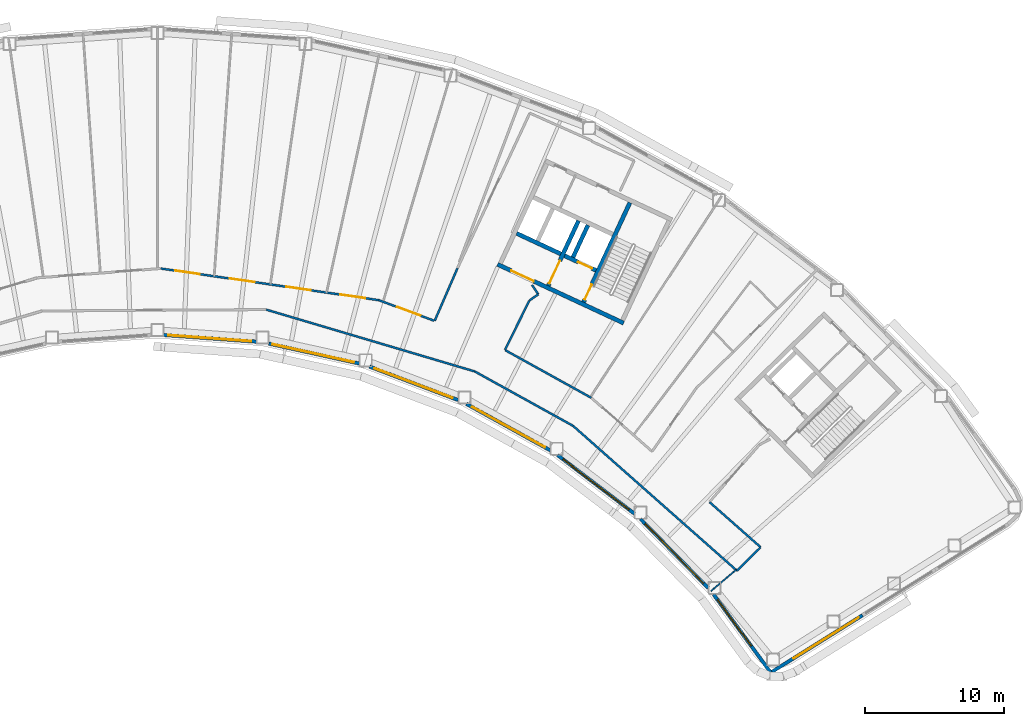
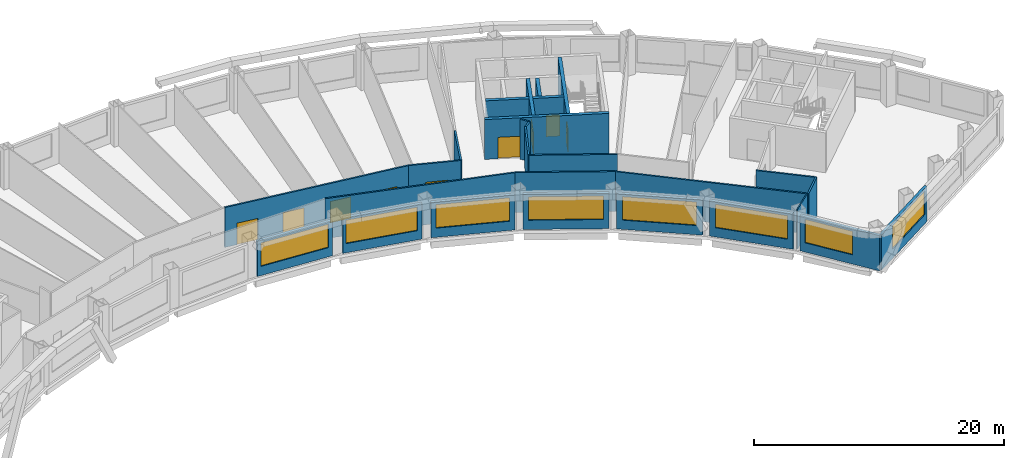
# One storey, part 8 of 16: 27 walls, 9 doors, 8 windows, 17 openings.
"""IFC4 building model written with IfcOpenShell, lengths in metres."""

from ifc_helpers import new_model, si_unit, direction, frame, frame_2d, origin, place, context, subcontext, project, spatial, rectangle, extrude, material, layer, layer_set, type_object, element, fill, save


model = new_model("IFC4")

# Units and contexts
model_context = context("Model", 3, precision=1e-05, world=origin(), true_north=direction((0.0, 1.0)))
body_context = subcontext(model_context, "Body", "Model", "MODEL_VIEW")
ifc_project = project(units=[si_unit("LENGTHUNIT", "METRE"), si_unit("AREAUNIT", "SQUARE_METRE"), si_unit("VOLUMEUNIT", "CUBIC_METRE"), si_unit("PLANEANGLEUNIT", "RADIAN"), si_unit("MASSUNIT", "GRAM", prefix="KILO")], contexts=[model_context])

# Site, building, storey
site_placement = place(None, origin())
site = spatial("IfcSite", under=ifc_project, at=site_placement, CompositionType="ELEMENT")
building_placement = place(site_placement, origin())
building = spatial("IfcBuilding", under=site, at=building_placement, Name="Tuul Gate Civic Tower", CompositionType="ELEMENT")
storey_placement = place(building_placement, frame((0.0, 0.0, 184.699951171875)))
storey = spatial("IfcBuildingStorey", under=building, at=storey_placement, Name="Level 42", CompositionType="ELEMENT", Elevation=184.699951171875)

# Wall, opening, door
ifc_material_1 = material(Name="Concrete C50/60", Category="concrete")
ifc_layer_1 = layer(ifc_material_1, 0.300048828125)
ifc_layer_set_1 = layer_set([ifc_layer_1], Name="Concrete C50/60")
wall_type_1 = type_object("IfcWallType", Name="Core wall C50/60", PredefinedType="SHEAR", material=ifc_layer_set_1)
wall_1_placement = place(storey_placement, frame((34.5283203125, -7.25, 0.0), z_axis=(0.0, 0.0, 1.0), x_axis=(-0.906310338845, 0.422612789327, 0.0)))
wall_1 = element("IfcWall", 1, at=wall_1_placement, inside=storey, type_object=wall_type_1, Name="Core wall", PredefinedType="SHEAR", context=body_context, shape_type="SweptSolid", body=[
    extrude(rectangle(XDim=9.999755859375, YDim=0.300048828125, at=frame_2d((5.0, 0.0))), origin(), (0.0, 0.0, 1.0), 3.900146484375),
])
opening_1_placement = place(wall_1_placement, frame((7.125, 0.0, 0.0)))
opening_1 = element("IfcOpeningElement", 2, at=opening_1_placement, cuts=wall_1, Name="Opening LB-E3-LOBBY-1", PredefinedType="OPENING", context=body_context, shape_type="SweptSolid", body=[
    extrude(rectangle(XDim=1.800048828125, YDim=2.10009765625, at=frame_2d((0.89990234375, 1.050048828125))), frame((0.0, 0.16015625, 0.0), z_axis=(0.0, -1.0, 0.0), x_axis=(1.0, 0.0, 0.0)), (0.0, 0.0, 1.0), 0.320068359375),
])
ifc_material_2 = material(Name="Steel", Category="steel")
door_type_1 = type_object("IfcDoorType", Name="Lobby door", OperationType="DOUBLE_DOOR_SINGLE_SWING", PredefinedType="DOOR", material=ifc_material_2)
door_1_placement = place(opening_1_placement, frame((1.800048828125, 0.0, 0.0), z_axis=(0.0, 0.0, 1.0), x_axis=(-1.0, 0.0, 0.0)))
door_1 = element("IfcDoor", 3, at=door_1_placement, inside=storey, type_object=door_type_1, Name="Lobby door E3-LOBBY", OperationType="DOUBLE_DOOR_SINGLE_SWING", OverallHeight=2.10009765625, OverallWidth=1.800048828125, PredefinedType="DOOR", context=body_context, shape_type="SweptSolid", body=[
    extrude(rectangle(XDim=1.800048828125, YDim=2.10009765625, at=frame_2d((0.900146484375, 1.050048828125))), frame((0.0, 0.02490234375, 0.0), z_axis=(0.0, -1.0, 0.0), x_axis=(1.0, 0.0, 0.0)), (0.0, 0.0, 1.0), 0.050048828125),
])
fill(opening_1, door_1)

wall_2_placement = place(storey_placement, frame((32.545654296875, -3.456787109375, 0.0), z_axis=(0.0, 0.0, 1.0), x_axis=(-0.906300357825, 0.42263419337, 0.0)))
wall_2 = element("IfcWall", 4, at=wall_2_placement, inside=storey, type_object=wall_type_1, Name="Core wall", PredefinedType="SHEAR", context=body_context, shape_type="SweptSolid", body=[
    extrude(rectangle(XDim=2.500244140625, YDim=0.300048828125, at=frame_2d((1.25, 0.0))), origin(), (0.0, 0.0, 1.0), 3.900146484375),
])
opening_2_placement = place(wall_2_placement, frame((0.324951171875, 0.0, 0.0)))
opening_2 = element("IfcOpeningElement", 5, at=opening_2_placement, cuts=wall_2, Name="Opening LD-FF-2", PredefinedType="OPENING", context=body_context, shape_type="SweptSolid", body=[
    extrude(rectangle(XDim=1.10009765625, YDim=2.10009765625, at=frame_2d((0.550048828125, 1.050048828125))), frame((0.0, 0.16015625, 0.0), z_axis=(0.0, -1.0, 0.0), x_axis=(1.0, 0.0, 0.0)), (0.0, 0.0, 1.0), 0.320068359375),
])
ifc_material_3 = material(Name="Stainless steel", Category="steel")
door_type_2 = type_object("IfcDoorType", Name="Landing door", OperationType="DOUBLE_DOOR_SLIDING", PredefinedType="DOOR", material=ifc_material_3)
door_2_placement = place(opening_2_placement, origin())
door_2 = element("IfcDoor", 6, at=door_2_placement, inside=storey, type_object=door_type_2, Name="Fire-fighting lift FF-2 landing door", OperationType="DOUBLE_DOOR_SLIDING", OverallHeight=2.10009765625, OverallWidth=1.10009765625, PredefinedType="DOOR", context=body_context, shape_type="SweptSolid", body=[
    extrude(rectangle(XDim=1.10009765625, YDim=2.10009765625, at=frame_2d((0.550048828125, 1.050048828125))), frame((0.0, 0.02490234375, 0.0), z_axis=(0.0, -1.0, 0.0), x_axis=(1.0, 0.0, 0.0)), (0.0, 0.0, 1.0), 0.050048828125),
])
fill(opening_2, door_2)

# Wall
wall_3_placement = place(storey_placement, frame((30.0078125, -2.2734375, 0.0), z_axis=(0.0, 0.0, 1.0), x_axis=(-0.90630071767, 0.422633421716, 0.0)))
element("IfcWall", 7, at=wall_3_placement, inside=storey, type_object=wall_type_1, Name="Core wall", PredefinedType="SHEAR", context=body_context, shape_type="SweptSolid", body=[
    extrude(rectangle(XDim=3.5, YDim=0.300048828125, at=frame_2d((1.75, 0.0))), origin(), (0.0, 0.0, 1.0), 3.900146484375),
])

# Wall, opening, door
wall_4_placement = place(storey_placement, frame((31.646240234375, -5.740478515625, 0.0), z_axis=(0.0, 0.0, 1.0), x_axis=(0.422582604137, 0.906324413596, 0.0)))
wall_4 = element("IfcWall", 8, at=wall_4_placement, inside=storey, type_object=wall_type_1, Name="Core wall", PredefinedType="SHEAR", context=body_context, shape_type="SweptSolid", body=[
    extrude(rectangle(XDim=7.89990234375, YDim=0.300048828125, at=frame_2d((3.949951171875, 0.0))), origin(), (0.0, 0.0, 1.0), 3.900146484375),
])
opening_3_placement = place(wall_4_placement, frame((0.199951171875, 0.0, 0.0)))
opening_3 = element("IfcOpeningElement", 9, at=opening_3_placement, cuts=wall_4, Name="Opening SD-ST-4", PredefinedType="OPENING", context=body_context, shape_type="SweptSolid", body=[
    extrude(rectangle(XDim=1.199951171875, YDim=2.10009765625, at=frame_2d((0.60009765625, 1.050048828125))), frame((0.0, 0.16015625, 0.0), z_axis=(0.0, -1.0, 0.0), x_axis=(1.0, 0.0, 0.0)), (0.0, 0.0, 1.0), 0.320068359375),
])
ifc_material_4 = material(Name="Steel", Category="steel")
door_type_3 = type_object("IfcDoorType", Name="Stair door", OperationType="NOTDEFINED", PredefinedType="DOOR", material=ifc_material_4)
door_3_placement = place(opening_3_placement, origin())
door_3 = element("IfcDoor", 10, at=door_3_placement, inside=storey, type_object=door_type_3, Name="Stair door ST-4", OperationType="SINGLE_SWING_LEFT", OverallHeight=2.10009765625, OverallWidth=1.199951171875, PredefinedType="DOOR", context=body_context, shape_type="SweptSolid", body=[
    extrude(rectangle(XDim=1.199951171875, YDim=2.10009765625, at=frame_2d((0.60009765625, 1.050048828125))), frame((0.0, 0.02490234375, 0.0), z_axis=(0.0, -1.0, 0.0), x_axis=(1.0, 0.0, 0.0)), (0.0, 0.0, 1.0), 0.050048828125),
])
fill(opening_3, door_3)

# Wall
wall_5_placement = place(storey_placement, frame((30.886962890625, -2.517822265625, 0.0), z_axis=(0.0, 0.0, 1.0), x_axis=(0.422612891016, 0.906310291427, 0.0)))
element("IfcWall", 11, at=wall_5_placement, inside=storey, type_object=wall_type_1, Name="Core wall", PredefinedType="SHEAR", context=body_context, shape_type="SweptSolid", body=[
    extrude(rectangle(XDim=2.550048828125, YDim=0.300048828125, at=frame_2d((1.27490234375, 0.0))), origin(), (0.0, 0.0, 1.0), 3.900146484375),
])

# Wall, opening, door
wall_6_placement = place(storey_placement, frame((29.108642578125, -4.557373046875, 0.0), z_axis=(0.0, 0.0, 1.0), x_axis=(0.422566235356, 0.90633204552, 0.0)))
wall_6 = element("IfcWall", 12, at=wall_6_placement, inside=storey, type_object=wall_type_1, Name="Core wall", PredefinedType="SHEAR", context=body_context, shape_type="SweptSolid", body=[
    extrude(rectangle(XDim=5.150146484375, YDim=0.300048828125, at=frame_2d((2.5751953125, 0.0))), origin(), (0.0, 0.0, 1.0), 3.900146484375),
])
opening_4_placement = place(wall_6_placement, frame((0.175048828125, 0.0, 0.0)))
opening_4 = element("IfcOpeningElement", 13, at=opening_4_placement, cuts=wall_6, Name="Opening LB-E3-FLOBBY-1", PredefinedType="OPENING", context=body_context, shape_type="SweptSolid", body=[
    extrude(rectangle(XDim=1.800048828125, YDim=2.10009765625, at=frame_2d((0.89990234375, 1.050048828125))), frame((0.0, 0.16015625, 0.0), z_axis=(0.0, -1.0, 0.0), x_axis=(1.0, 0.0, 0.0)), (0.0, 0.0, 1.0), 0.320068359375),
])
door_4_placement = place(opening_4_placement, frame((1.800048828125, 0.0, 0.0), z_axis=(0.0, 0.0, 1.0), x_axis=(-1.0, 0.0, 0.0)))
door_4 = element("IfcDoor", 14, at=door_4_placement, inside=storey, type_object=door_type_1, Name="Lobby door E3-FLOBBY", OperationType="DOUBLE_DOOR_SINGLE_SWING", OverallHeight=2.10009765625, OverallWidth=1.800048828125, PredefinedType="DOOR", context=body_context, shape_type="SweptSolid", body=[
    extrude(rectangle(XDim=1.800048828125, YDim=2.10009765625, at=frame_2d((0.900146484375, 1.050048828125))), frame((0.0, 0.02490234375, 0.0), z_axis=(0.0, -1.0, 0.0), x_axis=(1.0, 0.0, 0.0)), (0.0, 0.0, 1.0), 0.050048828125),
])
fill(opening_4, door_4)

# Walls
ifc_material_5 = material(Name="Gypsum board partition")
ifc_layer_2 = layer(ifc_material_5, 0.14990234375)
ifc_layer_set_2 = layer_set([ifc_layer_2], Name="Gypsum board partition")
wall_type_2 = type_object("IfcWallType", Name="Corridor wall P150", PredefinedType="PARTITIONING", material=ifc_layer_set_2)
wall_7_placement = place(storey_placement, frame((42.68359375, -25.06103515625, 0.0), z_axis=(0.0, 0.0, 1.0), x_axis=(0.711669598432, 0.702514329155, 0.0)))
element("IfcWall", 15, at=wall_7_placement, inside=storey, type_object=wall_type_2, Name="p002", PredefinedType="PARTITIONING", context=body_context, shape_type="SweptSolid", body=[
    extrude(rectangle(XDim=2.39990234375, YDim=0.14990234375, at=frame_2d((1.199951171875, 0.0))), origin(), (0.0, 0.0, 1.0), 3.900146484375),
])
wall_8_placement = place(storey_placement, frame((40.717041015625, -20.132568359375, 0.0), z_axis=(0.0, 0.0, 1.0), x_axis=(0.749820408887, -0.661641409237, 0.0)))
element("IfcWall", 16, at=wall_8_placement, inside=storey, type_object=wall_type_2, Name="p004", PredefinedType="PARTITIONING", context=body_context, shape_type="SweptSolid", body=[
    extrude(rectangle(XDim=4.900634765625, YDim=0.14990234375, at=frame_2d((2.4501953125, 0.0))), origin(), (0.0, 0.0, 1.0), 3.900146484375),
])
wall_9_placement = place(storey_placement, frame((30.89306640625, -14.639404296875, 0.0), z_axis=(0.0, 0.0, 1.0), x_axis=(0.749263018591, -0.662272548859, 0.0)))
element("IfcWall", 17, at=wall_9_placement, inside=storey, type_object=wall_type_2, Name="p008", PredefinedType="PARTITIONING", context=body_context, shape_type="SweptSolid", body=[
    extrude(rectangle(XDim=15.736083984375, YDim=0.14990234375, at=frame_2d((7.8681640625, 0.0))), origin(), (0.0, 0.0, 1.0), 3.900146484375),
])
wall_10_placement = place(storey_placement, frame((26.01025390625, -9.193603515625, 0.0), z_axis=(0.0, 0.0, 1.0), x_axis=(0.874952938099, -0.484207967832, 0.0)))
element("IfcWall", 18, at=wall_10_placement, inside=storey, type_object=wall_type_2, Name="p014", PredefinedType="PARTITIONING", context=body_context, shape_type="SweptSolid", body=[
    extrude(rectangle(XDim=7.08154296875, YDim=0.14990234375, at=frame_2d((3.540771484375, 0.0))), origin(), (0.0, 0.0, 1.0), 3.900146484375),
])
wall_11_placement = place(storey_placement, frame((26.001953125, -9.167236328125, 0.0), z_axis=(0.0, 0.0, 1.0), x_axis=(0.441987219409, 0.897021347505, 0.0)))
element("IfcWall", 19, at=wall_11_placement, inside=storey, type_object=wall_type_2, Name="p017", PredefinedType="PARTITIONING", context=body_context, shape_type="SweptSolid", body=[
    extrude(rectangle(XDim=3.9482421875, YDim=0.14990234375, at=frame_2d((1.97412109375, 0.0))), origin(), (0.0, 0.0, 1.0), 3.900146484375),
])
wall_12_placement = place(storey_placement, frame((27.753662109375, -5.617919921875, 0.0), z_axis=(0.0, 0.0, 1.0), x_axis=(0.823348675127, 0.567535865973, 0.0)))
element("IfcWall", 20, at=wall_12_placement, inside=storey, type_object=wall_type_2, Name="p018", PredefinedType="PARTITIONING", context=body_context, shape_type="SweptSolid", body=[
    extrude(rectangle(XDim=0.78173828125, YDim=0.14990234375, at=frame_2d((0.390869140625, 0.0))), origin(), (0.0, 0.0, 1.0), 3.900146484375),
])
wall_13_placement = place(storey_placement, frame((27.939453125, -4.509033203125, 0.0), z_axis=(0.0, 0.0, 1.0), x_axis=(0.567478453598, -0.823388246638, 0.0)))
element("IfcWall", 21, at=wall_13_placement, inside=storey, type_object=wall_type_2, Name="p019", PredefinedType="PARTITIONING", context=body_context, shape_type="SweptSolid", body=[
    extrude(rectangle(XDim=0.80712890625, YDim=0.14990234375, at=frame_2d((0.403564453125, 0.0))), origin(), (0.0, 0.0, 1.0), 3.900146484375),
])
wall_14_placement = place(storey_placement, frame((20.9423828125, -7.07421875, 0.0), z_axis=(0.0, 0.0, 1.0), x_axis=(0.397708945577, 0.917511631865, 0.0)))
element("IfcWall", 22, at=wall_14_placement, inside=storey, type_object=wall_type_2, Name="p025", PredefinedType="PARTITIONING", context=body_context, shape_type="SweptSolid", body=[
    extrude(rectangle(XDim=4.1171875, YDim=0.14990234375, at=frame_2d((2.05859375, 0.0))), origin(), (0.0, 0.0, 1.0), 3.900146484375),
])

# Wall, opening, door
wall_15_placement = place(storey_placement, frame((16.92041015625, -5.599609375, 0.0), z_axis=(0.0, 0.0, 1.0), x_axis=(0.937337134743, -0.348423730294, 0.0)))
wall_15 = element("IfcWall", 23, at=wall_15_placement, inside=storey, type_object=wall_type_2, Name="p028", PredefinedType="PARTITIONING", context=body_context, shape_type="SweptSolid", body=[
    extrude(rectangle(XDim=4.263671875, YDim=0.14990234375, at=frame_2d((2.1318359375, 0.0))), origin(), (0.0, 0.0, 1.0), 3.900146484375),
])
opening_5_placement = place(wall_15_placement, frame((1.39599609375, 0.0, 0.0)))
opening_5 = element("IfcOpeningElement", 24, at=opening_5_placement, cuts=wall_15, Name="Opening O-D05", PredefinedType="OPENING", context=body_context, shape_type="SweptSolid", body=[
    extrude(rectangle(XDim=1.800048828125, YDim=2.10009765625, at=frame_2d((0.89990234375, 1.050048828125))), frame((0.0, 0.0849609375, 0.0), z_axis=(0.0, -1.0, 0.0), x_axis=(1.0, 0.0, 0.0)), (0.0, 0.0, 1.0), 0.169921875),
])
ifc_material_6 = material(Name="Timber door leaf, double", Category="wood")
door_type_4 = type_object("IfcDoorType", Name="Door D18", OperationType="DOUBLE_DOOR_SINGLE_SWING", PredefinedType="DOOR", material=ifc_material_6)
door_5_placement = place(opening_5_placement, origin())
door_5 = element("IfcDoor", 25, at=door_5_placement, inside=storey, type_object=door_type_4, Name="Door O-D05", OperationType="DOUBLE_DOOR_SINGLE_SWING", OverallHeight=2.10009765625, OverallWidth=1.800048828125, PredefinedType="DOOR", context=body_context, shape_type="SweptSolid", body=[
    extrude(rectangle(XDim=1.800048828125, YDim=2.10009765625, at=frame_2d((0.89990234375, 1.050048828125))), frame((0.0, 0.02490234375, 0.0), z_axis=(0.0, -1.0, 0.0), x_axis=(1.0, 0.0, 0.0)), (0.0, 0.0, 1.0), 0.050048828125),
])
fill(opening_5, door_5)

# Wall, openings, doors
wall_16_placement = place(storey_placement, frame((1.2314453125, -3.321044921875, 0.0), z_axis=(0.0, 0.0, 1.0), x_axis=(0.98961816438, -0.143721566678, 0.0)))
wall_16 = element("IfcWall", 26, at=wall_16_placement, inside=storey, type_object=wall_type_2, Name="p030", PredefinedType="PARTITIONING", context=body_context, shape_type="SweptSolid", body=[
    extrude(rectangle(XDim=15.852294921875, YDim=0.14990234375, at=frame_2d((7.92626953125, 0.0))), origin(), (0.0, 0.0, 1.0), 3.900146484375),
])
opening_6_placement = place(wall_16_placement, frame((13.0537109375, 0.0, 0.0)))
opening_6 = element("IfcOpeningElement", 27, at=opening_6_placement, cuts=wall_16, Name="Opening O-D06", PredefinedType="OPENING", context=body_context, shape_type="SweptSolid", body=[
    extrude(rectangle(XDim=1.800048828125, YDim=2.10009765625, at=frame_2d((0.89990234375, 1.050048828125))), frame((0.0, 0.0849609375, 0.0), z_axis=(0.0, -1.0, 0.0), x_axis=(1.0, 0.0, 0.0)), (0.0, 0.0, 1.0), 0.169921875),
])
opening_7_placement = place(wall_16_placement, frame((9.1123046875, 0.0, 0.0)))
opening_7 = element("IfcOpeningElement", 28, at=opening_7_placement, cuts=wall_16, Name="Opening O-D07", PredefinedType="OPENING", context=body_context, shape_type="SweptSolid", body=[
    extrude(rectangle(XDim=1.800048828125, YDim=2.10009765625, at=frame_2d((0.89990234375, 1.050048828125))), frame((0.0, 0.0849609375, 0.0), z_axis=(0.0, -1.0, 0.0), x_axis=(1.0, 0.0, 0.0)), (0.0, 0.0, 1.0), 0.169921875),
])
opening_8_placement = place(wall_16_placement, frame((5.02685546875, 0.0, 0.0)))
opening_8 = element("IfcOpeningElement", 29, at=opening_8_placement, cuts=wall_16, Name="Opening O-D08", PredefinedType="OPENING", context=body_context, shape_type="SweptSolid", body=[
    extrude(rectangle(XDim=1.800048828125, YDim=2.10009765625, at=frame_2d((0.89990234375, 1.050048828125))), frame((0.0, 0.0849609375, 0.0), z_axis=(0.0, -1.0, 0.0), x_axis=(1.0, 0.0, 0.0)), (0.0, 0.0, 1.0), 0.169921875),
])
opening_9_placement = place(wall_16_placement, frame((1.0419921875, 0.0, 0.0)))
opening_9 = element("IfcOpeningElement", 30, at=opening_9_placement, cuts=wall_16, Name="Opening O-D09", PredefinedType="OPENING", context=body_context, shape_type="SweptSolid", body=[
    extrude(rectangle(XDim=1.800048828125, YDim=2.10009765625, at=frame_2d((0.89990234375, 1.050048828125))), frame((0.0, 0.0849609375, 0.0), z_axis=(0.0, -1.0, 0.0), x_axis=(1.0, 0.0, 0.0)), (0.0, 0.0, 1.0), 0.169921875),
])
door_6_placement = place(opening_6_placement, origin())
door_6 = element("IfcDoor", 31, at=door_6_placement, inside=storey, type_object=door_type_4, Name="Door O-D06", OperationType="DOUBLE_DOOR_SINGLE_SWING", OverallHeight=2.10009765625, OverallWidth=1.800048828125, PredefinedType="DOOR", context=body_context, shape_type="SweptSolid", body=[
    extrude(rectangle(XDim=1.800048828125, YDim=2.10009765625, at=frame_2d((0.89990234375, 1.050048828125))), frame((0.0, 0.02490234375, 0.0), z_axis=(0.0, -1.0, 0.0), x_axis=(1.0, 0.0, 0.0)), (0.0, 0.0, 1.0), 0.050048828125),
])
fill(opening_6, door_6)
door_7_placement = place(opening_7_placement, origin())
door_7 = element("IfcDoor", 32, at=door_7_placement, inside=storey, type_object=door_type_4, Name="Door O-D07", OperationType="DOUBLE_DOOR_SINGLE_SWING", OverallHeight=2.10009765625, OverallWidth=1.800048828125, PredefinedType="DOOR", context=body_context, shape_type="SweptSolid", body=[
    extrude(rectangle(XDim=1.800048828125, YDim=2.10009765625, at=frame_2d((0.89990234375, 1.050048828125))), frame((0.0, 0.02490234375, 0.0), z_axis=(0.0, -1.0, 0.0), x_axis=(1.0, 0.0, 0.0)), (0.0, 0.0, 1.0), 0.050048828125),
])
fill(opening_7, door_7)
door_8_placement = place(opening_8_placement, origin())
door_8 = element("IfcDoor", 33, at=door_8_placement, inside=storey, type_object=door_type_4, Name="Door O-D08", OperationType="DOUBLE_DOOR_SINGLE_SWING", OverallHeight=2.10009765625, OverallWidth=1.800048828125, PredefinedType="DOOR", context=body_context, shape_type="SweptSolid", body=[
    extrude(rectangle(XDim=1.800048828125, YDim=2.10009765625, at=frame_2d((0.89990234375, 1.050048828125))), frame((0.0, 0.02490234375, 0.0), z_axis=(0.0, -1.0, 0.0), x_axis=(1.0, 0.0, 0.0)), (0.0, 0.0, 1.0), 0.050048828125),
])
fill(opening_8, door_8)
door_9_placement = place(opening_9_placement, origin())
door_9 = element("IfcDoor", 34, at=door_9_placement, inside=storey, type_object=door_type_4, Name="Door O-D09", OperationType="DOUBLE_DOOR_SINGLE_SWING", OverallHeight=2.10009765625, OverallWidth=1.800048828125, PredefinedType="DOOR", context=body_context, shape_type="SweptSolid", body=[
    extrude(rectangle(XDim=1.800048828125, YDim=2.10009765625, at=frame_2d((0.89990234375, 1.050048828125))), frame((0.0, 0.02490234375, 0.0), z_axis=(0.0, -1.0, 0.0), x_axis=(1.0, 0.0, 0.0)), (0.0, 0.0, 1.0), 0.050048828125),
])
fill(opening_9, door_9)

# Walls
wall_17_placement = place(storey_placement, frame((8.817138671875, -6.277587890625, 0.0), z_axis=(0.0, 0.0, 1.0), x_axis=(0.958771503683, -0.284178119718, 0.0)))
element("IfcWall", 35, at=wall_17_placement, inside=storey, type_object=wall_type_2, Name="p064", PredefinedType="PARTITIONING", context=body_context, shape_type="SweptSolid", body=[
    extrude(rectangle(XDim=15.645263671875, YDim=0.14990234375, at=frame_2d((7.82275390625, 0.0))), origin(), (0.0, 0.0, 1.0), 3.900146484375),
])
wall_18_placement = place(storey_placement, frame((23.8212890625, -10.725341796875, 0.0), z_axis=(0.0, 0.0, 1.0), x_axis=(0.874970030344, -0.484177081243, 0.0)))
element("IfcWall", 36, at=wall_18_placement, inside=storey, type_object=wall_type_2, Name="p065", PredefinedType="PARTITIONING", context=body_context, shape_type="SweptSolid", body=[
    extrude(rectangle(XDim=8.078369140625, YDim=0.14990234375, at=frame_2d((4.0390625, 0.0))), origin(), (0.0, 0.0, 1.0), 3.900146484375),
])

# Wall, opening, window
ifc_material_7 = material(Name="Precast concrete C40/50", Category="concrete")
ifc_layer_3 = layer(ifc_material_7, 0.25)
ifc_layer_set_3 = layer_set([ifc_layer_3], Name="Precast concrete C40/50")
wall_type_3 = type_object("IfcWallType", Name="External wall", PredefinedType="STANDARD", material=ifc_layer_set_3)
wall_19_placement = place(storey_placement, frame((1.43994140625, -8.098388671875, 0.0), z_axis=(0.0, 0.0, 1.0), x_axis=(0.99738574908, -0.072261106633, 0.0)))
wall_19 = element("IfcWall", 37, at=wall_19_placement, inside=storey, type_object=wall_type_3, Name="External wall", PredefinedType="STANDARD", context=body_context, shape_type="SweptSolid", body=[
    extrude(rectangle(XDim=6.689697265625, YDim=0.25, at=frame_2d((3.3447265625, 0.0))), origin(), (0.0, 0.0, 1.0), 3.449951171875),
])
opening_10_placement = place(wall_19_placement, frame((0.3212890625, 0.0, 0.89990234375)))
opening_10 = element("IfcOpeningElement", 38, at=opening_10_placement, cuts=wall_19, Name="Opening W26", PredefinedType="OPENING", context=body_context, shape_type="SweptSolid", body=[
    extrude(rectangle(XDim=6.0, YDim=2.300048828125, at=frame_2d((3.0, 1.14990234375))), frame((0.0, 0.135009765625, 0.0), z_axis=(0.0, -1.0, 0.0), x_axis=(1.0, 0.0, 0.0)), (0.0, 0.0, 1.0), 0.27001953125),
])
ifc_material_8 = material(Name="Glass", Category="glass")
window_type_1 = type_object("IfcWindowType", Name="Window W26 6000 x 2300", PartitioningType="SINGLE_PANEL", PredefinedType="WINDOW", material=ifc_material_8)
window_1_placement = place(opening_10_placement, origin())
window_1 = element("IfcWindow", 39, at=window_1_placement, inside=storey, type_object=window_type_1, Name="Window", OverallHeight=2.300048828125, OverallWidth=6.0, PartitioningType="SINGLE_PANEL", PredefinedType="WINDOW", context=body_context, shape_type="SweptSolid", body=[
    extrude(rectangle(XDim=6.0, YDim=2.300048828125, at=frame_2d((3.0, 1.14990234375))), frame((0.0, 0.030029296875, 0.0), z_axis=(0.0, -1.0, 0.0), x_axis=(1.0, 0.0, 0.0)), (0.0, 0.0, 1.0), 0.06005859375),
])
fill(opening_10, window_1)

wall_20_placement = place(storey_placement, frame((9.011962890625, -8.720458984375, 0.0), z_axis=(0.0, 0.0, 1.0), x_axis=(0.976558520258, -0.21525207667, 0.0)))
wall_20 = element("IfcWall", 40, at=wall_20_placement, inside=storey, type_object=wall_type_3, Name="External wall", PredefinedType="STANDARD", context=body_context, shape_type="SweptSolid", body=[
    extrude(rectangle(XDim=6.670166015625, YDim=0.25, at=frame_2d((3.3349609375, 0.0))), origin(), (0.0, 0.0, 1.0), 3.449951171875),
])
opening_11_placement = place(wall_20_placement, frame((0.263427734375, 0.0, 0.89990234375)))
opening_11 = element("IfcOpeningElement", 41, at=opening_11_placement, cuts=wall_20, Name="Opening W26", PredefinedType="OPENING", context=body_context, shape_type="SweptSolid", body=[
    extrude(rectangle(XDim=6.0, YDim=2.300048828125, at=frame_2d((3.0, 1.14990234375))), frame((0.0, 0.135009765625, 0.0), z_axis=(0.0, -1.0, 0.0), x_axis=(1.0, 0.0, 0.0)), (0.0, 0.0, 1.0), 0.27001953125),
])
window_2_placement = place(opening_11_placement, origin())
window_2 = element("IfcWindow", 42, at=window_2_placement, inside=storey, type_object=window_type_1, Name="Window", OverallHeight=2.300048828125, OverallWidth=6.0, PartitioningType="SINGLE_PANEL", PredefinedType="WINDOW", context=body_context, shape_type="SweptSolid", body=[
    extrude(rectangle(XDim=6.0, YDim=2.300048828125, at=frame_2d((3.0, 1.14990234375))), frame((0.0, 0.030029296875, 0.0), z_axis=(0.0, -1.0, 0.0), x_axis=(1.0, 0.0, 0.0)), (0.0, 0.0, 1.0), 0.06005859375),
])
fill(opening_11, window_2)

wall_21_placement = place(storey_placement, frame((16.248046875, -10.373046875, 0.0), z_axis=(0.0, 0.0, 1.0), x_axis=(0.935360534404, -0.353695731779, 0.0)))
wall_21 = element("IfcWall", 43, at=wall_21_placement, inside=storey, type_object=wall_type_3, Name="External wall", PredefinedType="STANDARD", context=body_context, shape_type="SweptSolid", body=[
    extrude(rectangle(XDim=6.81982421875, YDim=0.25, at=frame_2d((3.409912109375, 0.0))), origin(), (0.0, 0.0, 1.0), 3.449951171875),
])
opening_12_placement = place(wall_21_placement, frame((0.3818359375, 0.0, 0.89990234375)))
opening_12 = element("IfcOpeningElement", 44, at=opening_12_placement, cuts=wall_21, Name="Opening W26", PredefinedType="OPENING", context=body_context, shape_type="SweptSolid", body=[
    extrude(rectangle(XDim=6.0, YDim=2.300048828125, at=frame_2d((3.0, 1.14990234375))), frame((0.0, 0.135009765625, 0.0), z_axis=(0.0, -1.0, 0.0), x_axis=(1.0, 0.0, 0.0)), (0.0, 0.0, 1.0), 0.27001953125),
])
window_3_placement = place(opening_12_placement, origin())
window_3 = element("IfcWindow", 45, at=window_3_placement, inside=storey, type_object=window_type_1, Name="Window", OverallHeight=2.300048828125, OverallWidth=6.0, PartitioningType="SINGLE_PANEL", PredefinedType="WINDOW", context=body_context, shape_type="SweptSolid", body=[
    extrude(rectangle(XDim=6.0, YDim=2.300048828125, at=frame_2d((3.0, 1.14990234375))), frame((0.0, 0.030029296875, 0.0), z_axis=(0.0, -1.0, 0.0), x_axis=(1.0, 0.0, 0.0)), (0.0, 0.0, 1.0), 0.06005859375),
])
fill(opening_12, window_3)

wall_22_placement = place(storey_placement, frame((23.21875, -13.05810546875, 0.0), z_axis=(0.0, 0.0, 1.0), x_axis=(0.874638200543, -0.484776255763, 0.0)))
wall_22 = element("IfcWall", 46, at=wall_22_placement, inside=storey, type_object=wall_type_3, Name="External wall", PredefinedType="STANDARD", context=body_context, shape_type="SweptSolid", body=[
    extrude(rectangle(XDim=6.9140625, YDim=0.25, at=frame_2d((3.45703125, 0.0))), origin(), (0.0, 0.0, 1.0), 3.449951171875),
])
opening_13_placement = place(wall_22_placement, frame((0.453369140625, 0.0, 0.89990234375)))
opening_13 = element("IfcOpeningElement", 47, at=opening_13_placement, cuts=wall_22, Name="Opening W26", PredefinedType="OPENING", context=body_context, shape_type="SweptSolid", body=[
    extrude(rectangle(XDim=6.0, YDim=2.300048828125, at=frame_2d((3.0, 1.14990234375))), frame((0.0, 0.135009765625, 0.0), z_axis=(0.0, -1.0, 0.0), x_axis=(1.0, 0.0, 0.0)), (0.0, 0.0, 1.0), 0.27001953125),
])
window_4_placement = place(opening_13_placement, origin())
window_4 = element("IfcWindow", 48, at=window_4_placement, inside=storey, type_object=window_type_1, Name="Window", OverallHeight=2.300048828125, OverallWidth=6.0, PartitioningType="SINGLE_PANEL", PredefinedType="WINDOW", context=body_context, shape_type="SweptSolid", body=[
    extrude(rectangle(XDim=6.0, YDim=2.300048828125, at=frame_2d((3.0, 1.14990234375))), frame((0.0, 0.030029296875, 0.0), z_axis=(0.0, -1.0, 0.0), x_axis=(1.0, 0.0, 0.0)), (0.0, 0.0, 1.0), 0.06005859375),
])
fill(opening_13, window_4)

wall_23_placement = place(storey_placement, frame((29.770751953125, -16.738037109375, 0.0), z_axis=(0.0, 0.0, 1.0), x_axis=(0.795583108554, -0.605844466331, 0.0)))
wall_23 = element("IfcWall", 49, at=wall_23_placement, inside=storey, type_object=wall_type_3, Name="External wall", PredefinedType="STANDARD", context=body_context, shape_type="SweptSolid", body=[
    extrude(rectangle(XDim=6.95849609375, YDim=0.25, at=frame_2d((3.479248046875, 0.0))), origin(), (0.0, 0.0, 1.0), 3.449951171875),
])
opening_14_placement = place(wall_23_placement, frame((0.480224609375, 0.0, 0.89990234375)))
opening_14 = element("IfcOpeningElement", 50, at=opening_14_placement, cuts=wall_23, Name="Opening W26", PredefinedType="OPENING", context=body_context, shape_type="SweptSolid", body=[
    extrude(rectangle(XDim=6.0, YDim=2.300048828125, at=frame_2d((3.0, 1.14990234375))), frame((0.0, 0.135009765625, 0.0), z_axis=(0.0, -1.0, 0.0), x_axis=(1.0, 0.0, 0.0)), (0.0, 0.0, 1.0), 0.27001953125),
])
window_5_placement = place(opening_14_placement, origin())
window_5 = element("IfcWindow", 51, at=window_5_placement, inside=storey, type_object=window_type_1, Name="Window", OverallHeight=2.300048828125, OverallWidth=6.0, PartitioningType="SINGLE_PANEL", PredefinedType="WINDOW", context=body_context, shape_type="SweptSolid", body=[
    extrude(rectangle(XDim=6.0, YDim=2.300048828125, at=frame_2d((3.0, 1.14990234375))), frame((0.0, 0.030029296875, 0.0), z_axis=(0.0, -1.0, 0.0), x_axis=(1.0, 0.0, 0.0)), (0.0, 0.0, 1.0), 0.06005859375),
])
fill(opening_14, window_5)

wall_24_placement = place(storey_placement, frame((35.741943359375, -21.3369140625, 0.0), z_axis=(0.0, 0.0, 1.0), x_axis=(0.700101181113, -0.71404365147, 0.0)))
wall_24 = element("IfcWall", 52, at=wall_24_placement, inside=storey, type_object=wall_type_3, Name="External wall", PredefinedType="STANDARD", context=body_context, shape_type="SweptSolid", body=[
    extrude(rectangle(XDim=6.96923828125, YDim=0.25, at=frame_2d((3.484619140625, 0.0))), origin(), (0.0, 0.0, 1.0), 3.449951171875),
])
opening_15_placement = place(wall_24_placement, frame((0.485107421875, 0.0, 0.89990234375)))
opening_15 = element("IfcOpeningElement", 53, at=opening_15_placement, cuts=wall_24, Name="Opening W26", PredefinedType="OPENING", context=body_context, shape_type="SweptSolid", body=[
    extrude(rectangle(XDim=6.0, YDim=2.300048828125, at=frame_2d((3.0, 1.14990234375))), frame((0.0, 0.135009765625, 0.0), z_axis=(0.0, -1.0, 0.0), x_axis=(1.0, 0.0, 0.0)), (0.0, 0.0, 1.0), 0.27001953125),
])
window_6_placement = place(opening_15_placement, origin())
window_6 = element("IfcWindow", 54, at=window_6_placement, inside=storey, type_object=window_type_1, Name="Window", OverallHeight=2.300048828125, OverallWidth=6.0, PartitioningType="SINGLE_PANEL", PredefinedType="WINDOW", context=body_context, shape_type="SweptSolid", body=[
    extrude(rectangle(XDim=6.0, YDim=2.300048828125, at=frame_2d((3.0, 1.14990234375))), frame((0.0, 0.030029296875, 0.0), z_axis=(0.0, -1.0, 0.0), x_axis=(1.0, 0.0, 0.0)), (0.0, 0.0, 1.0), 0.06005859375),
])
fill(opening_15, window_6)

wall_25_placement = place(storey_placement, frame((40.997802734375, -26.759033203125, 0.0), z_axis=(0.0, 0.0, 1.0), x_axis=(0.589748783254, -0.807586758591, 0.0)))
wall_25 = element("IfcWall", 55, at=wall_25_placement, inside=storey, type_object=wall_type_3, Name="External wall", PredefinedType="STANDARD", context=body_context, shape_type="SweptSolid", body=[
    extrude(rectangle(XDim=6.97216796875, YDim=0.25, at=frame_2d((3.486083984375, 0.0))), origin(), (0.0, 0.0, 1.0), 3.449951171875),
])
opening_16_placement = place(wall_25_placement, frame((0.46435546875, 0.0, 0.89990234375)))
opening_16 = element("IfcOpeningElement", 56, at=opening_16_placement, cuts=wall_25, Name="Opening W25", PredefinedType="OPENING", context=body_context, shape_type="SweptSolid", body=[
    extrude(rectangle(XDim=4.14990234375, YDim=2.300048828125, at=frame_2d((2.074951171875, 1.14990234375))), frame((0.0, 0.135009765625, 0.0), z_axis=(0.0, -1.0, 0.0), x_axis=(1.0, 0.0, 0.0)), (0.0, 0.0, 1.0), 0.27001953125),
])
ifc_material_9 = material(Name="Glass", Category="glass")
window_type_2 = type_object("IfcWindowType", Name="Window W25 4150 x 2300", PartitioningType="SINGLE_PANEL", PredefinedType="WINDOW", material=ifc_material_9)
window_7_placement = place(opening_16_placement, origin())
window_7 = element("IfcWindow", 57, at=window_7_placement, inside=storey, type_object=window_type_2, Name="Window", OverallHeight=2.300048828125, OverallWidth=4.14990234375, PartitioningType="SINGLE_PANEL", PredefinedType="WINDOW", context=body_context, shape_type="SweptSolid", body=[
    extrude(rectangle(XDim=4.14990234375, YDim=2.300048828125, at=frame_2d((2.074951171875, 1.14990234375))), frame((0.0, 0.030029296875, 0.0), z_axis=(0.0, -1.0, 0.0), x_axis=(1.0, 0.0, 0.0)), (0.0, 0.0, 1.0), 0.06005859375),
])
fill(opening_16, window_7)

wall_26_placement = place(storey_placement, frame((45.109619140625, -32.3896484375, 0.0), z_axis=(0.0, 0.0, 1.0), x_axis=(0.848047613046, 0.52992003737, 0.0)))
wall_26 = element("IfcWall", 58, at=wall_26_placement, inside=storey, type_object=wall_type_3, Name="External wall", PredefinedType="STANDARD", context=body_context, shape_type="SweptSolid", body=[
    extrude(rectangle(XDim=7.787841796875, YDim=0.25, at=frame_2d((3.89404296875, 0.0))), origin(), (0.0, 0.0, 1.0), 3.449951171875),
])
opening_17_placement = place(wall_26_placement, frame((1.92138671875, 0.0, 0.89990234375)))
opening_17 = element("IfcOpeningElement", 59, at=opening_17_placement, cuts=wall_26, Name="Opening W24", PredefinedType="OPENING", context=body_context, shape_type="SweptSolid", body=[
    extrude(rectangle(XDim=5.550048828125, YDim=2.300048828125, at=frame_2d((2.77490234375, 1.14990234375))), frame((0.0, 0.135009765625, 0.0), z_axis=(0.0, -1.0, 0.0), x_axis=(1.0, 0.0, 0.0)), (0.0, 0.0, 1.0), 0.27001953125),
])
ifc_material_10 = material(Name="Glass", Category="glass")
window_type_3 = type_object("IfcWindowType", Name="Window W24 5550 x 2300", PartitioningType="SINGLE_PANEL", PredefinedType="WINDOW", material=ifc_material_10)
window_8_placement = place(opening_17_placement, origin())
window_8 = element("IfcWindow", 60, at=window_8_placement, inside=storey, type_object=window_type_3, Name="Window", OverallHeight=2.300048828125, OverallWidth=5.550048828125, PartitioningType="SINGLE_PANEL", PredefinedType="WINDOW", context=body_context, shape_type="SweptSolid", body=[
    extrude(rectangle(XDim=5.550048828125, YDim=2.300048828125, at=frame_2d((2.77490234375, 1.14990234375))), frame((0.0, 0.030029296875, 0.0), z_axis=(0.0, -1.0, 0.0), x_axis=(1.0, 0.0, 0.0)), (0.0, 0.0, 1.0), 0.06005859375),
])
fill(opening_17, window_8)

# Wall
ifc_material_11 = material(Name="Gypsum board partition")
ifc_layer_4 = layer(ifc_material_11, 0.10009765625)
ifc_layer_set_4 = layer_set([ifc_layer_4], Name="Gypsum board partition")
wall_type_4 = type_object("IfcWallType", Name="Partition P100", PredefinedType="PARTITIONING", material=ifc_layer_set_4)
wall_27_placement = place(storey_placement, frame((40.81884765625, -26.5224609375, 0.0), z_axis=(0.0, 0.0, 1.0), x_axis=(0.762839246775, 0.646588187009, 0.0)))
element("IfcWall", 61, at=wall_27_placement, inside=storey, type_object=wall_type_4, Name="p001", PredefinedType="PARTITIONING", context=body_context, shape_type="SweptSolid", body=[
    extrude(rectangle(XDim=2.354248046875, YDim=0.10009765625, at=frame_2d((1.17724609375, 0.0))), origin(), (0.0, 0.0, 1.0), 3.900146484375),
])

save(model, "model.ifc")
